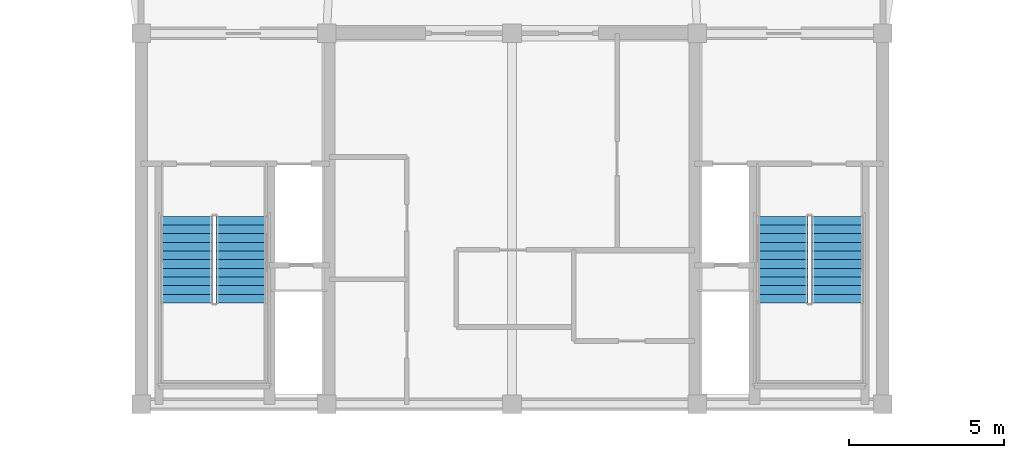
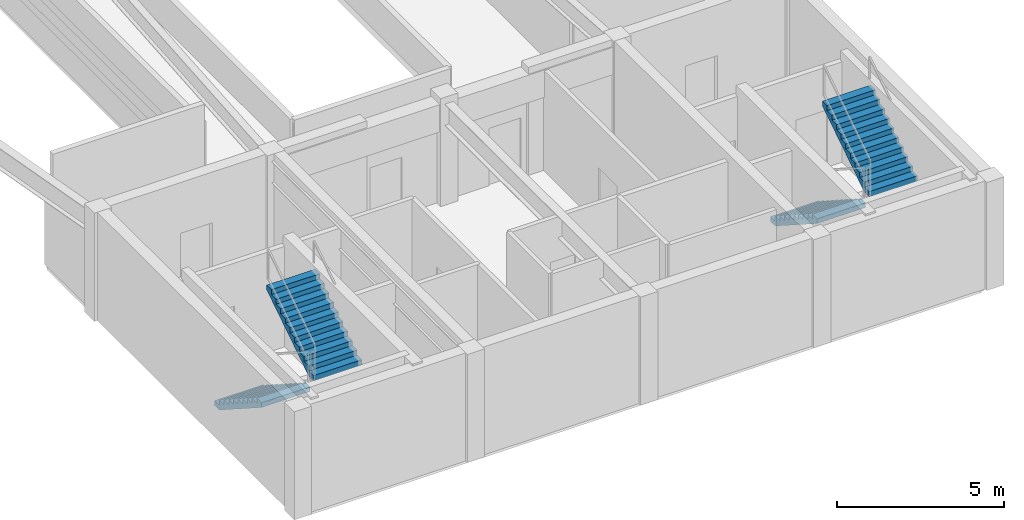
# One storey, part 4 of 6: 4 stair flights, 2 elements without a shape of their own.
"""IFC4 building model written with IfcOpenShell, lengths in metres."""

from ifc_helpers import new_model, si_unit, direction, frame, origin, place, context, subcontext, project, spatial, polyline, outline, extrude, material, type_object, element, aggregate, save


model = new_model("IFC4")

# Units and contexts
model_context = context("Model", 3, precision=1e-05, world=origin(), true_north=direction((0.0, 1.0)))
body_context = subcontext(model_context, "Body", "Model", "MODEL_VIEW")
ifc_project = project(units=[si_unit("LENGTHUNIT", "METRE"), si_unit("AREAUNIT", "SQUARE_METRE"), si_unit("VOLUMEUNIT", "CUBIC_METRE"), si_unit("PLANEANGLEUNIT", "RADIAN"), si_unit("MASSUNIT", "GRAM", prefix="KILO")], contexts=[model_context])

# Site, building, storey
site_placement = place(None, origin())
site = spatial("IfcSite", under=ifc_project, at=site_placement, CompositionType="ELEMENT")
building_placement = place(site_placement, origin())
building = spatial("IfcBuilding", under=site, at=building_placement, Name="Brelvock Crest Care Tower", CompositionType="ELEMENT")
storey_placement = place(building_placement, frame((0.0, 0.0, 299.8798828125)))
storey = spatial("IfcBuildingStorey", under=building, at=storey_placement, Name="L76", CompositionType="ELEMENT", Elevation=299.8798828125)

# Stair, stair flights
ifc_material = material(Name="Concrete N40 (40 MPa)", Category="concrete")
stair_type = type_object("IfcStairType", Name="ST-CORE1", PredefinedType="HALF_TURN_STAIR", material=ifc_material)
stair_1_placement = place(storey_placement, origin())
stair_1 = element("IfcStair", 1, at=stair_1_placement, inside=storey, type_object=stair_type, Name="L76 Fire-Isolated Core Stair ST-1", PredefinedType="HALF_TURN_STAIR")
stair_flight_type = type_object("IfcStairFlightType", Name="STF-1", PredefinedType="STRAIGHT", material=ifc_material)
stair_flight_1_placement = place(storey_placement, frame((25.469970703125, 12.080078125, 0.0), z_axis=(0.0, 0.0, 1.0), x_axis=(0.0, -1.0, 0.0)))
stair_flight_1 = element("IfcStairFlight", 2, at=stair_flight_1_placement, type_object=stair_flight_type, Name="ST-1 flight 1", NumberOfRisers=11, NumberOfTreads=10, PredefinedType="STRAIGHT", RiserHeight=0.18, TreadLength=0.28, context=body_context, shape_type="SweptSolid", body=[
    extrude(outline(polyline([(-0.00390625, -0.014892578125), (-0.00390625, -0.008056640625), (-0.00390625, -0.0009765625), (-0.00390625, 0.005859375), (-0.00390625, 0.012939453125), (-0.00390625, 0.019775390625), (-0.00390625, 0.02685546875), (-0.00390625, 0.03369140625), (-0.00390625, 0.040771484375), (-0.00390625, 0.047607421875), (-0.00390625, 0.0546875), (-0.00390625, 0.0615234375), (-0.00390625, 0.068603515625), (-0.00390625, 0.075439453125), (-0.00390625, 0.08251953125), (-0.00390625, 0.08935546875), (-0.00390625, 0.096435546875), (-0.00390625, 0.103271484375), (-0.00390625, 0.1103515625), (-0.00390625, 0.117431640625), (-0.00390625, 0.124267578125), (-0.00390625, 0.13134765625), (-0.00390625, 0.13818359375), (-0.00390625, 0.145263671875), (-0.00390625, 0.152099609375), (-0.00390625, 0.1591796875), (-0.00390625, 0.166015625), (-0.00390625, 0.173095703125), (-0.00390625, 0.179931640625), (0.0, 0.179931640625), (0.280029296875, 0.179931640625), (0.280029296875, 0.360107421875), (0.56005859375, 0.360107421875), (0.56005859375, 0.5400390625), (0.840087890625, 0.5400390625), (0.840087890625, 0.719970703125), (1.1201171875, 0.719970703125), (1.1201171875, 0.89990234375), (1.39990234375, 0.89990234375), (1.39990234375, 1.080078125), (1.679931640625, 1.080078125), (1.679931640625, 1.260009765625), (1.9599609375, 1.260009765625), (1.9599609375, 1.43994140625), (2.239990234375, 1.43994140625), (2.239990234375, 1.6201171875), (2.52001953125, 1.6201171875), (2.52001953125, 1.800048828125), (2.800048828125, 1.800048828125), (2.803955078125, 1.800048828125), (2.8037109375, 1.79931640625), (2.803955078125, 1.798828125), (2.8037109375, 1.798095703125), (2.803955078125, 1.79736328125), (2.8037109375, 1.796875), (2.803955078125, 1.796142578125), (2.8037109375, 1.79541015625), (2.803955078125, 1.794921875), (2.8037109375, 1.794189453125), (2.803955078125, 1.79345703125), (2.8037109375, 1.79296875), (2.803955078125, 1.792236328125), (2.8037109375, 1.791748046875), (2.803955078125, 1.791015625), (2.8037109375, 1.790283203125), (2.803955078125, 1.789794921875), (2.8037109375, 1.7890625), (2.803955078125, 1.788330078125), (2.8037109375, 1.787841796875), (2.803955078125, 1.787109375), (2.8037109375, 1.78662109375), (2.803955078125, 1.785888671875), (2.8037109375, 1.78515625), (2.803955078125, 1.78466796875), (2.8037109375, 1.783935546875), (2.803955078125, 1.783203125), (2.8037109375, 1.78271484375), (2.803955078125, 1.781982421875), (2.800048828125, 1.621826171875), (0.277099609375, 0.0), (0.0, 0.0), (0.0, -0.014892578125), (-0.00390625, -0.014892578125)])), frame((0.0, 0.83984375, 0.0), z_axis=(0.0, -1.0, 0.0), x_axis=(1.0, 0.0, 0.0)), (0.0, 0.0, 1.0), 1.679931640625),
])
stair_flight_2_placement = place(storey_placement, frame((27.27001953125, 9.280029296875, 1.980224609375), z_axis=(0.0, 0.0, 1.0), x_axis=(0.0, 1.0, 0.0)))
stair_flight_2 = element("IfcStairFlight", 3, at=stair_flight_2_placement, type_object=stair_flight_type, Name="ST-1 flight 2", NumberOfRisers=11, NumberOfTreads=10, PredefinedType="STRAIGHT", RiserHeight=0.18, TreadLength=0.28, context=body_context, shape_type="SweptSolid", body=[
    extrude(outline(polyline([(-0.00390625, -0.014892578125), (-0.00390625, -0.008056640625), (-0.00390625, -0.0009765625), (-0.00390625, 0.005859375), (-0.00390625, 0.012939453125), (-0.00390625, 0.019775390625), (-0.00390625, 0.02685546875), (-0.00390625, 0.03369140625), (-0.00390625, 0.040771484375), (-0.00390625, 0.047607421875), (-0.00390625, 0.0546875), (-0.00390625, 0.0615234375), (-0.00390625, 0.068603515625), (-0.00390625, 0.075439453125), (-0.00390625, 0.08251953125), (-0.00390625, 0.08935546875), (-0.00390625, 0.096435546875), (-0.00390625, 0.103271484375), (-0.00390625, 0.1103515625), (-0.00390625, 0.117431640625), (-0.00390625, 0.124267578125), (-0.00390625, 0.13134765625), (-0.00390625, 0.13818359375), (-0.00390625, 0.145263671875), (-0.00390625, 0.152099609375), (-0.00390625, 0.1591796875), (-0.00390625, 0.166015625), (-0.00390625, 0.173095703125), (-0.00390625, 0.179931640625), (0.0, 0.179931640625), (0.280029296875, 0.179931640625), (0.280029296875, 0.360107421875), (0.56005859375, 0.360107421875), (0.56005859375, 0.5400390625), (0.840087890625, 0.5400390625), (0.840087890625, 0.719970703125), (1.1201171875, 0.719970703125), (1.1201171875, 0.89990234375), (1.39990234375, 0.89990234375), (1.39990234375, 1.080078125), (1.679931640625, 1.080078125), (1.679931640625, 1.260009765625), (1.9599609375, 1.260009765625), (1.9599609375, 1.43994140625), (2.239990234375, 1.43994140625), (2.239990234375, 1.6201171875), (2.52001953125, 1.6201171875), (2.52001953125, 1.800048828125), (2.800048828125, 1.800048828125), (2.803955078125, 1.800048828125), (2.8037109375, 1.79931640625), (2.803955078125, 1.798828125), (2.8037109375, 1.798095703125), (2.803955078125, 1.79736328125), (2.8037109375, 1.796875), (2.803955078125, 1.796142578125), (2.8037109375, 1.79541015625), (2.803955078125, 1.794921875), (2.8037109375, 1.794189453125), (2.803955078125, 1.79345703125), (2.8037109375, 1.79296875), (2.803955078125, 1.792236328125), (2.8037109375, 1.791748046875), (2.803955078125, 1.791015625), (2.8037109375, 1.790283203125), (2.803955078125, 1.789794921875), (2.8037109375, 1.7890625), (2.803955078125, 1.788330078125), (2.8037109375, 1.787841796875), (2.803955078125, 1.787109375), (2.8037109375, 1.78662109375), (2.803955078125, 1.785888671875), (2.8037109375, 1.78515625), (2.803955078125, 1.78466796875), (2.8037109375, 1.783935546875), (2.803955078125, 1.783203125), (2.8037109375, 1.78271484375), (2.803955078125, 1.781982421875), (2.800048828125, 1.621826171875), (0.277099609375, 0.0), (0.0, 0.0), (0.0, -0.014892578125), (-0.00390625, -0.014892578125)])), frame((0.0, 0.83984375, 0.0), z_axis=(0.0, -1.0, 0.0), x_axis=(1.0, 0.0, 0.0)), (0.0, 0.0, 1.0), 1.679931640625),
])
aggregate(stair_1, [stair_flight_1, stair_flight_2])

stair_2_placement = place(storey_placement, origin())
stair_2 = element("IfcStair", 4, at=stair_2_placement, inside=storey, type_object=stair_type, Name="L76 Fire-Isolated Core Stair ST-2", PredefinedType="HALF_TURN_STAIR")
stair_flight_3_placement = place(storey_placement, frame((44.72998046875, 12.080078125, 0.0), z_axis=(0.0, 0.0, 1.0), x_axis=(0.0, -1.0, 0.0)))
stair_flight_3 = element("IfcStairFlight", 5, at=stair_flight_3_placement, type_object=stair_flight_type, Name="ST-2 flight 1", NumberOfRisers=11, NumberOfTreads=10, PredefinedType="STRAIGHT", RiserHeight=0.18, TreadLength=0.28, context=body_context, shape_type="SweptSolid", body=[
    extrude(outline(polyline([(-0.00390625, -0.014892578125), (-0.00390625, -0.008056640625), (-0.00390625, -0.0009765625), (-0.00390625, 0.005859375), (-0.00390625, 0.012939453125), (-0.00390625, 0.019775390625), (-0.00390625, 0.02685546875), (-0.00390625, 0.03369140625), (-0.00390625, 0.040771484375), (-0.00390625, 0.047607421875), (-0.00390625, 0.0546875), (-0.00390625, 0.0615234375), (-0.00390625, 0.068603515625), (-0.00390625, 0.075439453125), (-0.00390625, 0.08251953125), (-0.00390625, 0.08935546875), (-0.00390625, 0.096435546875), (-0.00390625, 0.103271484375), (-0.00390625, 0.1103515625), (-0.00390625, 0.117431640625), (-0.00390625, 0.124267578125), (-0.00390625, 0.13134765625), (-0.00390625, 0.13818359375), (-0.00390625, 0.145263671875), (-0.00390625, 0.152099609375), (-0.00390625, 0.1591796875), (-0.00390625, 0.166015625), (-0.00390625, 0.173095703125), (-0.00390625, 0.179931640625), (0.0, 0.179931640625), (0.280029296875, 0.179931640625), (0.280029296875, 0.360107421875), (0.56005859375, 0.360107421875), (0.56005859375, 0.5400390625), (0.840087890625, 0.5400390625), (0.840087890625, 0.719970703125), (1.1201171875, 0.719970703125), (1.1201171875, 0.89990234375), (1.39990234375, 0.89990234375), (1.39990234375, 1.080078125), (1.679931640625, 1.080078125), (1.679931640625, 1.260009765625), (1.9599609375, 1.260009765625), (1.9599609375, 1.43994140625), (2.239990234375, 1.43994140625), (2.239990234375, 1.6201171875), (2.52001953125, 1.6201171875), (2.52001953125, 1.800048828125), (2.800048828125, 1.800048828125), (2.803955078125, 1.800048828125), (2.8037109375, 1.79931640625), (2.803955078125, 1.798828125), (2.8037109375, 1.798095703125), (2.803955078125, 1.79736328125), (2.8037109375, 1.796875), (2.803955078125, 1.796142578125), (2.8037109375, 1.79541015625), (2.803955078125, 1.794921875), (2.8037109375, 1.794189453125), (2.803955078125, 1.79345703125), (2.8037109375, 1.79296875), (2.803955078125, 1.792236328125), (2.8037109375, 1.791748046875), (2.803955078125, 1.791015625), (2.8037109375, 1.790283203125), (2.803955078125, 1.789794921875), (2.8037109375, 1.7890625), (2.803955078125, 1.788330078125), (2.8037109375, 1.787841796875), (2.803955078125, 1.787109375), (2.8037109375, 1.78662109375), (2.803955078125, 1.785888671875), (2.8037109375, 1.78515625), (2.803955078125, 1.78466796875), (2.8037109375, 1.783935546875), (2.803955078125, 1.783203125), (2.8037109375, 1.78271484375), (2.803955078125, 1.781982421875), (2.800048828125, 1.621826171875), (0.277099609375, 0.0), (0.0, 0.0), (0.0, -0.014892578125), (-0.00390625, -0.014892578125)])), frame((0.0, 0.83984375, 0.0), z_axis=(0.0, -1.0, 0.0), x_axis=(1.0, 0.0, 0.0)), (0.0, 0.0, 1.0), 1.679931640625),
])
stair_flight_4_placement = place(storey_placement, frame((46.530029296875, 9.280029296875, 1.980224609375), z_axis=(0.0, 0.0, 1.0), x_axis=(0.0, 1.0, 0.0)))
stair_flight_4 = element("IfcStairFlight", 6, at=stair_flight_4_placement, type_object=stair_flight_type, Name="ST-2 flight 2", NumberOfRisers=11, NumberOfTreads=10, PredefinedType="STRAIGHT", RiserHeight=0.18, TreadLength=0.28, context=body_context, shape_type="SweptSolid", body=[
    extrude(outline(polyline([(-0.00390625, -0.014892578125), (-0.00390625, -0.008056640625), (-0.00390625, -0.0009765625), (-0.00390625, 0.005859375), (-0.00390625, 0.012939453125), (-0.00390625, 0.019775390625), (-0.00390625, 0.02685546875), (-0.00390625, 0.03369140625), (-0.00390625, 0.040771484375), (-0.00390625, 0.047607421875), (-0.00390625, 0.0546875), (-0.00390625, 0.0615234375), (-0.00390625, 0.068603515625), (-0.00390625, 0.075439453125), (-0.00390625, 0.08251953125), (-0.00390625, 0.08935546875), (-0.00390625, 0.096435546875), (-0.00390625, 0.103271484375), (-0.00390625, 0.1103515625), (-0.00390625, 0.117431640625), (-0.00390625, 0.124267578125), (-0.00390625, 0.13134765625), (-0.00390625, 0.13818359375), (-0.00390625, 0.145263671875), (-0.00390625, 0.152099609375), (-0.00390625, 0.1591796875), (-0.00390625, 0.166015625), (-0.00390625, 0.173095703125), (-0.00390625, 0.179931640625), (0.0, 0.179931640625), (0.280029296875, 0.179931640625), (0.280029296875, 0.360107421875), (0.56005859375, 0.360107421875), (0.56005859375, 0.5400390625), (0.840087890625, 0.5400390625), (0.840087890625, 0.719970703125), (1.1201171875, 0.719970703125), (1.1201171875, 0.89990234375), (1.39990234375, 0.89990234375), (1.39990234375, 1.080078125), (1.679931640625, 1.080078125), (1.679931640625, 1.260009765625), (1.9599609375, 1.260009765625), (1.9599609375, 1.43994140625), (2.239990234375, 1.43994140625), (2.239990234375, 1.6201171875), (2.52001953125, 1.6201171875), (2.52001953125, 1.800048828125), (2.800048828125, 1.800048828125), (2.803955078125, 1.800048828125), (2.8037109375, 1.79931640625), (2.803955078125, 1.798828125), (2.8037109375, 1.798095703125), (2.803955078125, 1.79736328125), (2.8037109375, 1.796875), (2.803955078125, 1.796142578125), (2.8037109375, 1.79541015625), (2.803955078125, 1.794921875), (2.8037109375, 1.794189453125), (2.803955078125, 1.79345703125), (2.8037109375, 1.79296875), (2.803955078125, 1.792236328125), (2.8037109375, 1.791748046875), (2.803955078125, 1.791015625), (2.8037109375, 1.790283203125), (2.803955078125, 1.789794921875), (2.8037109375, 1.7890625), (2.803955078125, 1.788330078125), (2.8037109375, 1.787841796875), (2.803955078125, 1.787109375), (2.8037109375, 1.78662109375), (2.803955078125, 1.785888671875), (2.8037109375, 1.78515625), (2.803955078125, 1.78466796875), (2.8037109375, 1.783935546875), (2.803955078125, 1.783203125), (2.8037109375, 1.78271484375), (2.803955078125, 1.781982421875), (2.800048828125, 1.621826171875), (0.277099609375, 0.0), (0.0, 0.0), (0.0, -0.014892578125), (-0.00390625, -0.014892578125)])), frame((0.0, 0.83984375, 0.0), z_axis=(0.0, -1.0, 0.0), x_axis=(1.0, 0.0, 0.0)), (0.0, 0.0, 1.0), 1.679931640625),
])
aggregate(stair_2, [stair_flight_3, stair_flight_4])

save(model, "model.ifc")
